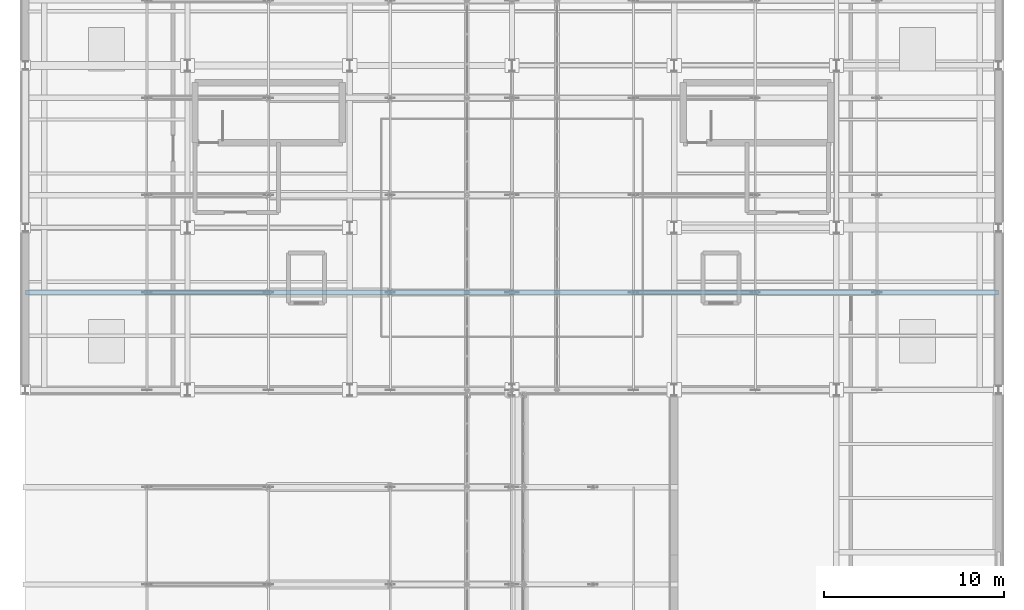
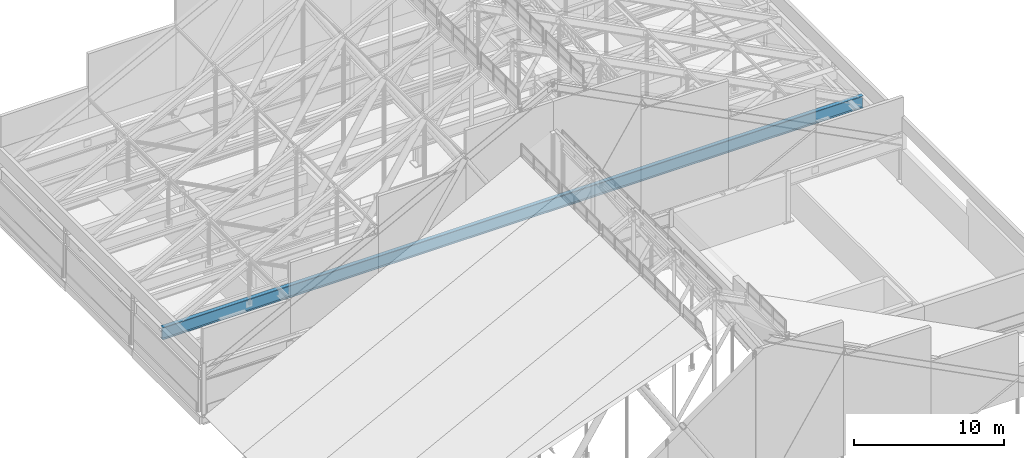
# One storey, part 36 of 84: 1 beam.
"""IFC4 building model written with IfcOpenShell, lengths in metres."""

from ifc_helpers import new_model, si_unit, direction, frame, origin, origin_2d, place, context, subcontext, project, spatial, i_section, extrude, material, material_profile, profile_set, type_object, element, save


model = new_model("IFC4")

# Units and contexts
model_context = context("Model", 3, precision=1e-05, world=origin(), true_north=direction((0.0, 1.0)))
body_context = subcontext(model_context, "Body", "Model", "MODEL_VIEW")
ifc_project = project(units=[si_unit("LENGTHUNIT", "METRE"), si_unit("AREAUNIT", "SQUARE_METRE"), si_unit("VOLUMEUNIT", "CUBIC_METRE"), si_unit("PLANEANGLEUNIT", "RADIAN"), si_unit("MASSUNIT", "GRAM", prefix="KILO")], contexts=[model_context])

# Site, building, storey
site_placement = place(None, origin())
site = spatial("IfcSite", under=ifc_project, at=site_placement, CompositionType="ELEMENT")
building_placement = place(site_placement, origin())
building = spatial("IfcBuilding", under=site, at=building_placement, Name="Sundgate Opera House", CompositionType="ELEMENT")
storey_placement = place(building_placement, frame((0.0, 0.0, 30.60009765625)))
storey = spatial("IfcBuildingStorey", under=building, at=storey_placement, Name="L06", CompositionType="ELEMENT", Elevation=30.60009765625)

# Beam
ifc_material = material(Name="Steel S355ML", Category="steel")
ifc_material_profile = material_profile(ifc_material, i_section(OverallWidth=0.300048828125, OverallDepth=1.0, WebThickness=0.01904296875, FlangeThickness=0.035888671875, at=origin_2d()), Name="HEB 1000")
ifc_profile_set = profile_set([ifc_material_profile], Name="Steel S355ML")
beam_type = type_object("IfcBeamType", Name="BM-TR-HEB1000", PredefinedType="BEAM", material=ifc_profile_set)
beam_placement = place(storey_placement, frame((27.0, 65.39990234375, 3.289794921875), z_axis=(1.0, 0.0, 0.0), x_axis=(0.0, 1.0, 0.0)))
element("IfcBeam", 1, at=beam_placement, inside=storey, type_object=beam_type, Name="L06 Fly-Tower Truss Continuous Tie Girder B3387", PredefinedType="BEAM", context=body_context, shape_type="SweptSolid", body=[
    extrude(i_section(OverallWidth=0.300048828125, OverallDepth=1.0, WebThickness=0.01904296875, FlangeThickness=0.035888671875, at=origin_2d()), origin(), (0.0, 0.0, 1.0), 54.0),
])

save(model, "model.ifc")
